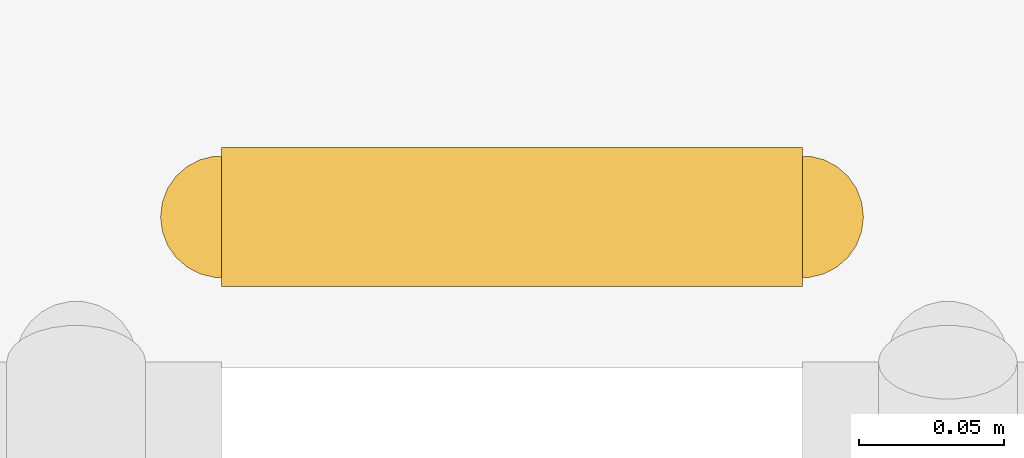
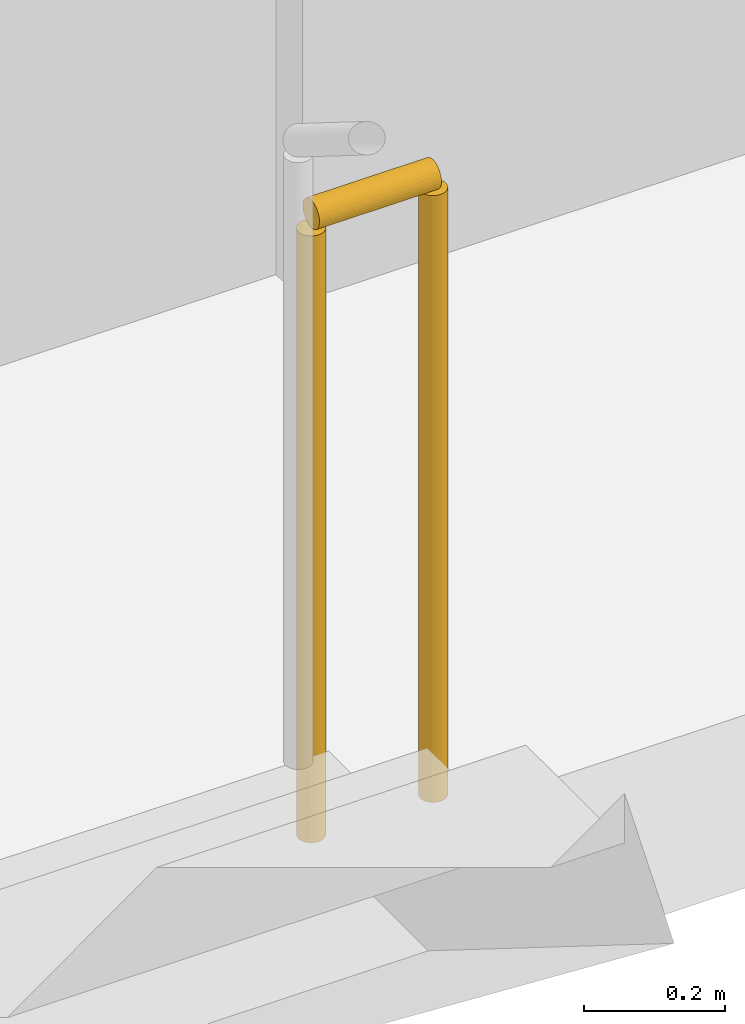
# One storey, part 19 of 21: 1 railing.
"""IFC4 building model written with IfcOpenShell, lengths in metres."""

from ifc_helpers import new_model, si_unit, direction, frame, origin, origin_2d, place, context, subcontext, project, spatial, circle, extrude, material, type_object, element, save


model = new_model("IFC4")

# Units and contexts
model_context = context("Model", 3, precision=1e-05, world=origin(), true_north=direction((0.0, 1.0)))
body_context = subcontext(model_context, "Body", "Model", "MODEL_VIEW")
ifc_project = project(units=[si_unit("LENGTHUNIT", "METRE"), si_unit("AREAUNIT", "SQUARE_METRE"), si_unit("VOLUMEUNIT", "CUBIC_METRE"), si_unit("PLANEANGLEUNIT", "RADIAN"), si_unit("MASSUNIT", "GRAM", prefix="KILO")], contexts=[model_context])

# Site, building, storey
site_placement = place(None, origin())
site = spatial("IfcSite", under=ifc_project, at=site_placement, CompositionType="ELEMENT")
building_placement = place(site_placement, origin())
building = spatial("IfcBuilding", under=site, at=building_placement, Name="Kiln Ring Residences", CompositionType="ELEMENT")
storey_placement = place(building_placement, frame((0.0, 0.0, 48.0)))
storey = spatial("IfcBuildingStorey", under=building, at=storey_placement, Name="L11", CompositionType="ELEMENT", Elevation=48.0)

# Railing
ifc_material = material(Name="Stainless steel", Category="steel")
railing_type = type_object("IfcRailingType", Name="CORE-STAIR-GUARD", PredefinedType="GUARDRAIL", material=ifc_material)
railing_placement = place(storey_placement, frame((-22.199951171875, 8.449951171875, 0.0)))
element("IfcRailing", 1, at=railing_placement, inside=storey, type_object=railing_type, Name="L11 W-STN stair guard 4", PredefinedType="GUARDRAIL", context=body_context, shape_type="SweptSolid", body=[
    extrude(circle(Radius=0.02392578125, at=origin_2d()), frame((0.0, 0.0, 1.076171875), z_axis=(1.0, 0.0, 0.0), x_axis=(0.0, 1.0, 0.0)), (0.0, 0.0, 1.0), 0.199951171875),
    extrude(circle(Radius=0.02099609375, at=origin_2d()), origin(), (0.0, 0.0, 1.0), 1.052001953125),
    extrude(circle(Radius=0.02099609375, at=origin_2d()), frame((0.199951171875, 0.0, 0.0)), (0.0, 0.0, 1.0), 1.052001953125),
])

save(model, "model.ifc")
